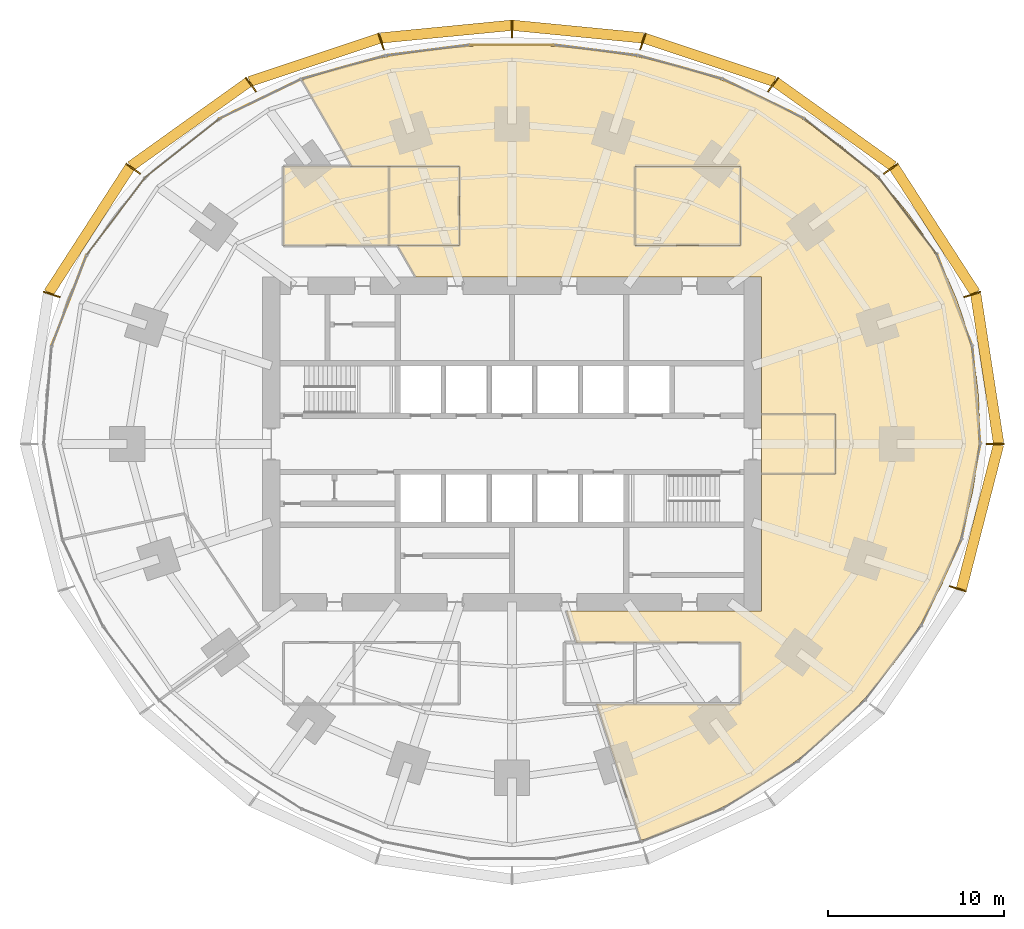
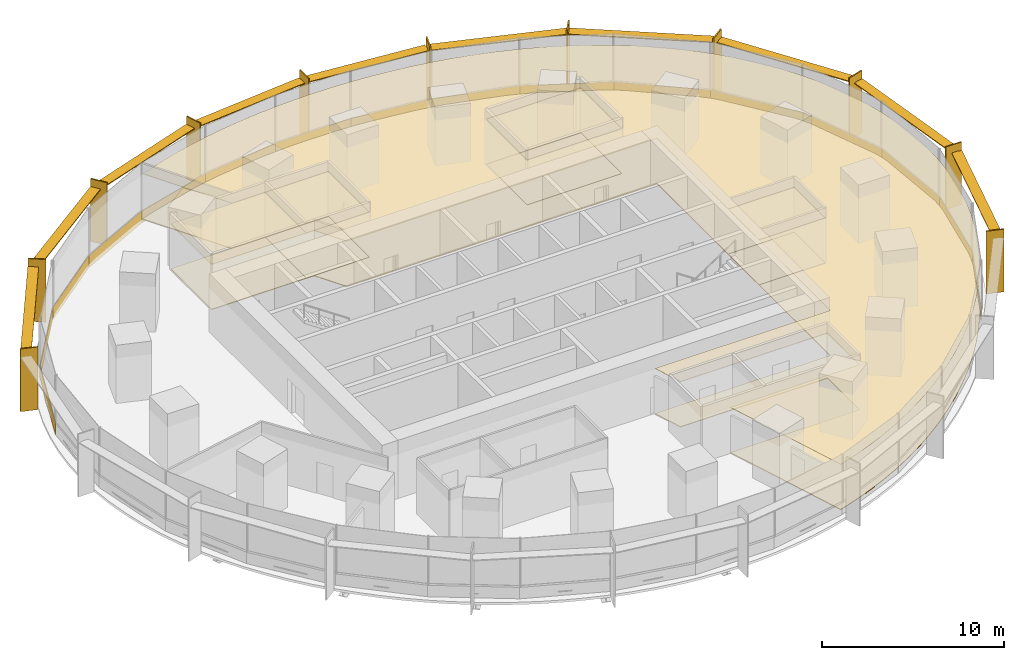
# One storey, part 15 of 15: 26 coverings, 21 shading devices.
"""IFC4 building model written with IfcOpenShell, lengths in metres."""

from ifc_helpers import new_model, si_unit, direction, frame, origin, origin_2d, place, context, subcontext, project, spatial, polyline, rectangle, outline, extrude, material, layer, layer_set, type_object, element, save


model = new_model("IFC4")

# Units and contexts
model_context = context("Model", 3, precision=1e-05, world=origin(), true_north=direction((0.0, 1.0)))
body_context = subcontext(model_context, "Body", "Model", "MODEL_VIEW")
ifc_project = project(units=[si_unit("LENGTHUNIT", "METRE"), si_unit("AREAUNIT", "SQUARE_METRE"), si_unit("VOLUMEUNIT", "CUBIC_METRE"), si_unit("PLANEANGLEUNIT", "RADIAN"), si_unit("MASSUNIT", "GRAM", prefix="KILO")], contexts=[model_context])

# Site, building, storey
site_placement = place(None, origin())
site = spatial("IfcSite", under=ifc_project, at=site_placement, CompositionType="ELEMENT")
building_placement = place(site_placement, origin())
building = spatial("IfcBuilding", under=site, at=building_placement, Name="Marramba Exchange Tower", CompositionType="ELEMENT")
storey_placement = place(building_placement, frame((0.0, 0.0, 23.800048828125)))
storey = spatial("IfcBuildingStorey", under=building, at=storey_placement, Name="L05", CompositionType="ELEMENT", Elevation=23.800048828125)

# Shading devices
ifc_material_1 = material(Name="Aluminium blade, timber-look bronze finish", Category="wood")
ifc_layer_1 = layer(ifc_material_1, 0.080078125)
ifc_layer_set_1 = layer_set([ifc_layer_1], Name="Floor-edge blade 1000x80")
shading_device_type_1 = type_object("IfcShadingDeviceType", Name="Floor-edge blade 1000x80", PredefinedType="USERDEFINED", material=ifc_layer_set_1)
for number, where, z_axis, x_axis, name in (
    (1, (27.5, 0.0, -0.16015625), (0.0, 0.0, 1.0), (1.0, 0.0, 0.0), "Floor-edge blade FB1 L05 TC01"),
    (2, (26.193115234375, 8.5107421875, -0.16015625), (0.0, 0.0, 1.0), (0.951056516295, 0.309016994375, 0.0), "Floor-edge blade FB1 L05 TC02"),
    (3, (21.56298828125, 15.66650390625, -0.16015625), (0.0, 0.0, 1.0), (0.809016994375, 0.587785252292, 0.0), "Floor-edge blade FB1 L05 TC03"),
    (4, (14.857666015625, 20.449951171875, -0.16015625), (0.0, 0.0, 1.0), (0.587785252292, 0.809016994375, 0.0), "Floor-edge blade FB1 L05 TC04"),
    (5, (7.444091796875, 22.910888671875, -0.16015625), (0.0, 0.0, 1.0), (0.309016994375, 0.951056516295, 0.0), "Floor-edge blade FB1 L05 TC05"),
    (6, (0.0, 23.6279296875, -0.16015625), (0.0, 0.0, 1.0), (0.0, 1.0, 0.0), "Floor-edge blade FB1 L05 TC06"),
    (7, (-7.444091796875, 22.910888671875, -0.16015625), (0.0, 0.0, 1.0), (-0.309016994375, 0.951056516295, 0.0), "Floor-edge blade FB1 L05 TC07"),
    (8, (-14.857666015625, 20.449951171875, -0.16015625), (0.0, 0.0, 1.0), (-0.587785252292, 0.809016994375, 0.0), "Floor-edge blade FB1 L05 TC08"),
    (9, (-21.56298828125, 15.66650390625, -0.16015625), (0.0, 0.0, 1.0), (-0.809016994375, 0.587785252292, 0.0), "Floor-edge blade FB1 L05 TC09"),
    (10, (-26.193115234375, 8.5107421875, -0.16015625), (0.0, 0.0, 1.0), (-0.951056516295, 0.309016994375, 0.0), "Floor-edge blade FB1 L05 TC10"),
    (11, (25.3740234375, -8.24462890625, -0.16015625), (0.0, 0.0, 1.0), (0.951056516295, -0.309016994375, 0.0), "Floor-edge blade FB1 L05 TC20"),
):
    element("IfcShadingDevice", number, at=place(storey_placement, frame(where, z_axis=z_axis, x_axis=x_axis)), inside=storey, type_object=shading_device_type_1, Name=name, ObjectType="FIN", PredefinedType="USERDEFINED", context=body_context, shape_type="SweptSolid", body=[
        extrude(rectangle(XDim=1.0, YDim=0.080078125, at=origin_2d()), origin(), (0.0, 0.0, 1.0), 4.199951171875),
    ])

# Coverings
ifc_material_2 = material(Name="Steel raised access floor panels", Category="steel")
ifc_layer_2 = layer(ifc_material_2, 0.050048828125)
ifc_layer_set_2 = layer_set([ifc_layer_2], Name="Raised access floor 300")
covering_type_1 = type_object("IfcCoveringType", Name="Raised access floor 300", PredefinedType="FLOORING", material=ifc_layer_set_2)
covering_1_placement = place(storey_placement, frame((0.0, 0.0, 0.25)))
element("IfcCovering", 12, at=covering_1_placement, inside=storey, type_object=covering_type_1, Name="Raised access floor RAF1 L05 Equities Trading Floor", PredefinedType="FLOORING", context=body_context, shape_type="SweptSolid", body=[
    extrude(outline(polyline([(14.199951171875, -1.699951171875), (18.39990234375, -1.699951171875), (18.39990234375, 1.699951171875), (14.199951171875, 1.699951171875), (14.199951171875, 9.5), (-5.48486328125, 9.5), (-6.52392578125, 11.300048828125), (-3.0, 11.300048828125), (-3.0, 15.800048828125), (-7.0, 15.800048828125), (-9.1220703125, 15.800048828125), (-11.94921875, 20.69677734375), (-10.755126953125, 21.10791015625), (-9.556640625, 21.464599609375), (-8.356689453125, 21.76953125), (-7.15673828125, 22.0263671875), (-5.95849609375, 22.23779296875), (-4.7626953125, 22.406982421875), (-3.5693359375, 22.535888671875), (-2.378173828125, 22.62646484375), (-1.188720703125, 22.68017578125), (0.0, 22.697998046875), (1.188720703125, 22.68017578125), (2.378173828125, 22.62646484375), (3.5693359375, 22.535888671875), (4.7626953125, 22.406982421875), (5.95849609375, 22.23779296875), (7.15673828125, 22.0263671875), (8.356689453125, 21.76953125), (9.556640625, 21.464599609375), (10.755126953125, 21.10791015625), (11.94921875, 20.69677734375), (13.135986328125, 20.2275390625), (14.31103515625, 19.697509765625), (15.4697265625, 19.103759765625), (16.60693359375, 18.44384765625), (17.71630859375, 17.71630859375), (18.791259765625, 16.919677734375), (19.8251953125, 16.05419921875), (20.810791015625, 15.119873046875), (21.740478515625, 14.118408203125), (22.607177734375, 13.05224609375), (23.40380859375, 11.9248046875), (24.12353515625, 10.740478515625), (24.76025390625, 9.50439453125), (25.30859375, 8.22314453125), (25.763916015625, 6.9033203125), (26.123291015625, 5.552734375), (26.3837890625, 4.1787109375), (26.544921875, 2.7900390625), (26.6064453125, 1.394287109375), (26.570068359375, 0.0), (26.43798828125, -1.385498046875), (26.213623046875, -2.755126953125), (25.9013671875, -4.102294921875), (25.50634765625, -5.421630859375), (25.033935546875, -6.707763671875), (24.489501953125, -7.95703125), (23.879150390625, -9.166259765625), (23.208251953125, -10.3330078125), (22.482177734375, -11.455322265625), (21.7060546875, -12.531982421875), (20.88427734375, -13.5625), (20.020751953125, -14.5458984375), (19.119384765625, -15.482421875), (18.1826171875, -16.371826171875), (17.213623046875, -17.213623046875), (16.21435546875, -18.0078125), (15.1865234375, -18.75390625), (14.132080078125, -19.451171875), (13.052490234375, -20.09912109375), (11.94921875, -20.69677734375), (10.82373046875, -21.242919921875), (9.677734375, -21.736328125), (8.512451171875, -22.17578125), (7.330078125, -22.56005859375), (4.808837890625, -14.800048828125), (7.0, -14.800048828125), (13.0, -14.800048828125), (13.0, -11.300048828125), (7.0, -11.300048828125), (3.671630859375, -11.300048828125), (3.086669921875, -9.5), (14.199951171875, -9.5), (14.199951171875, -1.699951171875)]), holes=[polyline([(7.0, 15.800048828125), (7.0, 11.300048828125), (13.0, 11.300048828125), (13.0, 15.800048828125), (7.0, 15.800048828125)])]), origin(), (0.0, 0.0, 1.0), 0.050048828125),
])
covering_2_placement = place(storey_placement, frame((0.0, 0.0, 0.25)))
element("IfcCovering", 13, at=covering_2_placement, inside=storey, type_object=covering_type_1, Name="Raised access floor RAF1 L05 Corridor", PredefinedType="FLOORING", context=body_context, shape_type="SweptSolid", body=[
    extrude(outline(polyline([(14.199951171875, -1.699951171875), (14.199951171875, 1.699951171875), (18.39990234375, 1.699951171875), (18.39990234375, -1.699951171875), (14.199951171875, -1.699951171875)])), origin(), (0.0, 0.0, 1.0), 0.050048828125),
])
covering_3_placement = place(storey_placement, frame((0.0, 0.0, 0.25)))
element("IfcCovering", 14, at=covering_3_placement, inside=storey, type_object=covering_type_1, Name="Raised access floor RAF1 L05 Meeting Room 1", PredefinedType="FLOORING", context=body_context, shape_type="SweptSolid", body=[
    extrude(outline(polyline([(-7.0, 15.800048828125), (-7.0, 11.300048828125), (-13.0, 11.300048828125), (-13.0, 15.800048828125), (-7.0, 15.800048828125)])), origin(), (0.0, 0.0, 1.0), 0.050048828125),
])
covering_4_placement = place(storey_placement, frame((0.0, 0.0, 0.25)))
element("IfcCovering", 15, at=covering_4_placement, inside=storey, type_object=covering_type_1, Name="Raised access floor RAF1 L05 Interview Room", PredefinedType="FLOORING", context=body_context, shape_type="SweptSolid", body=[
    extrude(outline(polyline([(-3.0, 15.800048828125), (-3.0, 11.300048828125), (-7.0, 11.300048828125), (-7.0, 15.800048828125), (-3.0, 15.800048828125)])), origin(), (0.0, 0.0, 1.0), 0.050048828125),
])
covering_5_placement = place(storey_placement, frame((0.0, 0.0, 0.25)))
element("IfcCovering", 16, at=covering_5_placement, inside=storey, type_object=covering_type_1, Name="Raised access floor RAF1 L05 Data Room", PredefinedType="FLOORING", context=body_context, shape_type="SweptSolid", body=[
    extrude(outline(polyline([(13.0, 11.300048828125), (7.0, 11.300048828125), (7.0, 15.800048828125), (13.0, 15.800048828125), (13.0, 11.300048828125)])), origin(), (0.0, 0.0, 1.0), 0.050048828125),
])

# Shading devices
ifc_material_3 = material(Name="Aluminium sunshade, bronze anodised", Category="aluminium")
ifc_layer_3 = layer(ifc_material_3, 0.06005859375)
ifc_layer_set_3 = layer_set([ifc_layer_3], Name="SUNSHADE blade 600x60")
shading_device_type_2 = type_object("IfcShadingDeviceType", Name="SUNSHADE blade 600x60", PredefinedType="USERDEFINED", material=ifc_layer_set_3)
shading_device_1_placement = place(storey_placement, frame((27.04150390625, 4.2861328125, 3.4599609375), z_axis=(0.0, 0.0, 1.0), x_axis=(-0.151825486228, 0.988407315701, 0.0)))
element("IfcShadingDevice", 17, at=shading_device_1_placement, inside=storey, type_object=shading_device_type_2, Name="Sunshade SS1 L05 bay 01", ObjectType="SUNSHADE", PredefinedType="USERDEFINED", context=body_context, shape_type="SweptSolid", body=[
    extrude(rectangle(XDim=8.593017578125, YDim=0.60009765625, at=origin_2d()), origin(), (0.0, 0.0, 1.0), 0.06005859375),
])
shading_device_2_placement = place(storey_placement, frame((24.053955078125, 12.17822265625, 3.4599609375), z_axis=(0.0, 0.0, 1.0), x_axis=(-0.542596596948, 0.839993412462, 0.0)))
element("IfcShadingDevice", 18, at=shading_device_2_placement, inside=storey, type_object=shading_device_type_2, Name="Sunshade SS1 L05 bay 02", ObjectType="SUNSHADE", PredefinedType="USERDEFINED", context=body_context, shape_type="SweptSolid", body=[
    extrude(rectangle(XDim=8.50537109375, YDim=0.60009765625, at=origin_2d()), origin(), (0.0, 0.0, 1.0), 0.06005859375),
])
shading_device_3_placement = place(storey_placement, frame((18.35009765625, 18.19775390625, 3.4599609375), z_axis=(0.0, 0.0, 1.0), x_axis=(-0.813362978246, 0.581756534659, 0.0)))
element("IfcShadingDevice", 19, at=shading_device_3_placement, inside=storey, type_object=shading_device_type_2, Name="Sunshade SS1 L05 bay 03", ObjectType="SUNSHADE", PredefinedType="USERDEFINED", context=body_context, shape_type="SweptSolid", body=[
    extrude(rectangle(XDim=8.218505859375, YDim=0.60009765625, at=origin_2d()), origin(), (0.0, 0.0, 1.0), 0.06005859375),
])
shading_device_4_placement = place(storey_placement, frame((11.24072265625, 21.8564453125, 3.4599609375), z_axis=(0.0, 0.0, 1.0), x_axis=(-0.948697789537, 0.316184288235, 0.0)))
element("IfcShadingDevice", 20, at=shading_device_4_placement, inside=storey, type_object=shading_device_type_2, Name="Sunshade SS1 L05 bay 04", ObjectType="SUNSHADE", PredefinedType="USERDEFINED", context=body_context, shape_type="SweptSolid", body=[
    extrude(rectangle(XDim=7.793212890625, YDim=0.60009765625, at=origin_2d()), origin(), (0.0, 0.0, 1.0), 0.06005859375),
])
for number, where, z_axis, x_axis, name in (
    (21, (3.7529296875, 23.464599609375, 3.4599609375), (0.0, 0.0, 1.0), (-0.995342876176, 0.096397919302, 0.0), "Sunshade SS1 L05 bay 05"),
    (22, (-3.7529296875, 23.464599609375, 3.4599609375), (0.0, 0.0, 1.0), (-0.995342876176, -0.096397919302, 0.0), "Sunshade SS1 L05 bay 06"),
):
    element("IfcShadingDevice", number, at=place(storey_placement, frame(where, z_axis=z_axis, x_axis=x_axis)), inside=storey, type_object=shading_device_type_2, Name=name, ObjectType="SUNSHADE", PredefinedType="USERDEFINED", context=body_context, shape_type="SweptSolid", body=[
        extrude(rectangle(XDim=7.461181640625, YDim=0.60009765625, at=origin_2d()), origin(), (0.0, 0.0, 1.0), 0.06005859375),
    ])
shading_device_5_placement = place(storey_placement, frame((-11.24072265625, 21.8564453125, 3.4599609375), z_axis=(0.0, 0.0, 1.0), x_axis=(-0.948697789537, -0.316184288235, 0.0)))
element("IfcShadingDevice", 23, at=shading_device_5_placement, inside=storey, type_object=shading_device_type_2, Name="Sunshade SS1 L05 bay 07", ObjectType="SUNSHADE", PredefinedType="USERDEFINED", context=body_context, shape_type="SweptSolid", body=[
    extrude(rectangle(XDim=7.793212890625, YDim=0.60009765625, at=origin_2d()), origin(), (0.0, 0.0, 1.0), 0.06005859375),
])
shading_device_6_placement = place(storey_placement, frame((-18.35009765625, 18.19775390625, 3.4599609375), z_axis=(0.0, 0.0, 1.0), x_axis=(-0.813362978246, -0.581756534659, 0.0)))
element("IfcShadingDevice", 24, at=shading_device_6_placement, inside=storey, type_object=shading_device_type_2, Name="Sunshade SS1 L05 bay 08", ObjectType="SUNSHADE", PredefinedType="USERDEFINED", context=body_context, shape_type="SweptSolid", body=[
    extrude(rectangle(XDim=8.218505859375, YDim=0.60009765625, at=origin_2d()), origin(), (0.0, 0.0, 1.0), 0.06005859375),
])
shading_device_7_placement = place(storey_placement, frame((-24.053955078125, 12.17822265625, 3.4599609375), z_axis=(0.0, 0.0, 1.0), x_axis=(-0.542596596948, -0.839993412462, 0.0)))
element("IfcShadingDevice", 25, at=shading_device_7_placement, inside=storey, type_object=shading_device_type_2, Name="Sunshade SS1 L05 bay 09", ObjectType="SUNSHADE", PredefinedType="USERDEFINED", context=body_context, shape_type="SweptSolid", body=[
    extrude(rectangle(XDim=8.50537109375, YDim=0.60009765625, at=origin_2d()), origin(), (0.0, 0.0, 1.0), 0.06005859375),
])
shading_device_8_placement = place(storey_placement, frame((26.632080078125, -4.153076171875, 3.4599609375), z_axis=(0.0, 0.0, 1.0), x_axis=(0.249024641331, 0.968497149201, 0.0)))
element("IfcShadingDevice", 26, at=shading_device_8_placement, inside=storey, type_object=shading_device_type_2, Name="Sunshade SS1 L05 bay 20", ObjectType="SUNSHADE", PredefinedType="USERDEFINED", context=body_context, shape_type="SweptSolid", body=[
    extrude(rectangle(XDim=8.49658203125, YDim=0.60009765625, at=origin_2d()), origin(), (0.0, 0.0, 1.0), 0.06005859375),
])

# Coverings
ifc_material_4 = material(Name="Aluminium spandrel panel, bronze anodised, insulated", Category="aluminium")
ifc_layer_4 = layer(ifc_material_4, 0.050048828125)
ifc_layer_set_4 = layer_set([ifc_layer_4], Name="Spandrel panel 800")
covering_type_2 = type_object("IfcCoveringType", Name="Spandrel panel 800", PredefinedType="CLADDING", material=ifc_layer_set_4)
covering_6_placement = place(storey_placement, frame((26.42578125, 2.78466796875, 0.0), z_axis=(0.0, 0.0, 1.0), x_axis=(-0.080275227657, 0.996772736297, 0.0)))
element("IfcCovering", 27, at=covering_6_placement, inside=storey, type_object=covering_type_2, Name="Spandrel panel SP1 L05 F01", PredefinedType="CLADDING", context=body_context, shape_type="SweptSolid", body=[
    extrude(rectangle(XDim=5.58740234375, YDim=0.050048828125, at=origin_2d()), origin(), (0.0, 0.0, 1.0), 0.800048828125),
])
covering_7_placement = place(storey_placement, frame((25.198974609375, 8.171142578125, 0.0), z_axis=(0.0, 0.0, 1.0), x_axis=(-0.359525512701, 0.933135255854, 0.0)))
element("IfcCovering", 28, at=covering_7_placement, inside=storey, type_object=covering_type_2, Name="Spandrel panel SP1 L05 F02", PredefinedType="CLADDING", context=body_context, shape_type="SweptSolid", body=[
    extrude(rectangle(XDim=5.57666015625, YDim=0.050048828125, at=origin_2d()), origin(), (0.0, 0.0, 1.0), 0.800048828125),
])
covering_8_placement = place(storey_placement, frame((22.535888671875, 12.969970703125, 0.0), z_axis=(0.0, 0.0, 1.0), x_axis=(-0.602989761876, 0.797748924834, 0.0)))
element("IfcCovering", 29, at=covering_8_placement, inside=storey, type_object=covering_type_2, Name="Spandrel panel SP1 L05 F03", PredefinedType="CLADDING", context=body_context, shape_type="SweptSolid", body=[
    extrude(rectangle(XDim=5.5078125, YDim=0.050048828125, at=origin_2d()), origin(), (0.0, 0.0, 1.0), 0.800048828125),
])
covering_9_placement = place(storey_placement, frame((18.767822265625, 16.8349609375, 0.0), z_axis=(0.0, 0.0, 1.0), x_axis=(-0.784087946735, 0.620649733574, 0.0)))
element("IfcCovering", 30, at=covering_9_placement, inside=storey, type_object=covering_type_2, Name="Spandrel panel SP1 L05 F04", PredefinedType="CLADDING", context=body_context, shape_type="SweptSolid", body=[
    extrude(rectangle(XDim=5.375732421875, YDim=0.050048828125, at=origin_2d()), origin(), (0.0, 0.0, 1.0), 0.800048828125),
])
covering_10_placement = place(storey_placement, frame((14.324951171875, 19.634765625, 0.0), z_axis=(0.0, 0.0, 1.0), x_axis=(-0.899963432359, 0.435965389012, 0.0)))
element("IfcCovering", 31, at=covering_10_placement, inside=storey, type_object=covering_type_2, Name="Spandrel panel SP1 L05 F05", PredefinedType="CLADDING", context=body_context, shape_type="SweptSolid", body=[
    extrude(rectangle(XDim=5.1904296875, YDim=0.050048828125, at=origin_2d()), origin(), (0.0, 0.0, 1.0), 0.800048828125),
])
covering_11_placement = place(storey_placement, frame((9.58544921875, 21.434326171875, 0.0), z_axis=(0.0, 0.0, 1.0), x_axis=(-0.963472098411, 0.267808729475, 0.0)))
element("IfcCovering", 32, at=covering_11_placement, inside=storey, type_object=covering_type_2, Name="Spandrel panel SP1 L05 F06", PredefinedType="CLADDING", context=body_context, shape_type="SweptSolid", body=[
    extrude(rectangle(XDim=4.989990234375, YDim=0.050048828125, at=origin_2d()), origin(), (0.0, 0.0, 1.0), 0.800048828125),
])
covering_12_placement = place(storey_placement, frame((4.783935546875, 22.404296875, 0.0), z_axis=(0.0, 0.0, 1.0), x_axis=(-0.992172768222, 0.124872727203, 0.0)))
element("IfcCovering", 33, at=covering_12_placement, inside=storey, type_object=covering_type_2, Name="Spandrel panel SP1 L05 F07", PredefinedType="CLADDING", context=body_context, shape_type="SweptSolid", body=[
    extrude(rectangle(XDim=4.832763671875, YDim=0.050048828125, at=origin_2d()), origin(), (0.0, 0.0, 1.0), 0.800048828125),
])
covering_13_placement = place(storey_placement, frame((0.0, 22.7060546875, 0.0), z_axis=(0.0, 0.0, 1.0), x_axis=(-1.0, 0.0, 0.0)))
element("IfcCovering", 34, at=covering_13_placement, inside=storey, type_object=covering_type_2, Name="Spandrel panel SP1 L05 F08", PredefinedType="CLADDING", context=body_context, shape_type="SweptSolid", body=[
    extrude(rectangle(XDim=4.77294921875, YDim=0.050048828125, at=origin_2d()), origin(), (0.0, 0.0, 1.0), 0.800048828125),
])
covering_14_placement = place(storey_placement, frame((-4.783935546875, 22.404296875, 0.0), z_axis=(0.0, 0.0, 1.0), x_axis=(-0.992172768222, -0.124872727203, 0.0)))
element("IfcCovering", 35, at=covering_14_placement, inside=storey, type_object=covering_type_2, Name="Spandrel panel SP1 L05 F09", PredefinedType="CLADDING", context=body_context, shape_type="SweptSolid", body=[
    extrude(rectangle(XDim=4.832763671875, YDim=0.050048828125, at=origin_2d()), origin(), (0.0, 0.0, 1.0), 0.800048828125),
])
covering_15_placement = place(storey_placement, frame((-9.58544921875, 21.434326171875, 0.0), z_axis=(0.0, 0.0, 1.0), x_axis=(-0.963472098411, -0.267808729475, 0.0)))
element("IfcCovering", 36, at=covering_15_placement, inside=storey, type_object=covering_type_2, Name="Spandrel panel SP1 L05 F10", PredefinedType="CLADDING", context=body_context, shape_type="SweptSolid", body=[
    extrude(rectangle(XDim=4.989990234375, YDim=0.050048828125, at=origin_2d()), origin(), (0.0, 0.0, 1.0), 0.800048828125),
])
covering_16_placement = place(storey_placement, frame((-14.324951171875, 19.634765625, 0.0), z_axis=(0.0, 0.0, 1.0), x_axis=(-0.899963432359, -0.435965389012, 0.0)))
element("IfcCovering", 37, at=covering_16_placement, inside=storey, type_object=covering_type_2, Name="Spandrel panel SP1 L05 F11", PredefinedType="CLADDING", context=body_context, shape_type="SweptSolid", body=[
    extrude(rectangle(XDim=5.1904296875, YDim=0.050048828125, at=origin_2d()), origin(), (0.0, 0.0, 1.0), 0.800048828125),
])
covering_17_placement = place(storey_placement, frame((-18.767822265625, 16.8349609375, 0.0), z_axis=(0.0, 0.0, 1.0), x_axis=(-0.784087946735, -0.620649733574, 0.0)))
element("IfcCovering", 38, at=covering_17_placement, inside=storey, type_object=covering_type_2, Name="Spandrel panel SP1 L05 F12", PredefinedType="CLADDING", context=body_context, shape_type="SweptSolid", body=[
    extrude(rectangle(XDim=5.375732421875, YDim=0.050048828125, at=origin_2d()), origin(), (0.0, 0.0, 1.0), 0.800048828125),
])
covering_18_placement = place(storey_placement, frame((-22.535888671875, 12.969970703125, 0.0), z_axis=(0.0, 0.0, 1.0), x_axis=(-0.602989761876, -0.797748924834, 0.0)))
element("IfcCovering", 39, at=covering_18_placement, inside=storey, type_object=covering_type_2, Name="Spandrel panel SP1 L05 F13", PredefinedType="CLADDING", context=body_context, shape_type="SweptSolid", body=[
    extrude(rectangle(XDim=5.5078125, YDim=0.050048828125, at=origin_2d()), origin(), (0.0, 0.0, 1.0), 0.800048828125),
])
covering_19_placement = place(storey_placement, frame((-25.198974609375, 8.171142578125, 0.0), z_axis=(0.0, 0.0, 1.0), x_axis=(-0.359525512701, -0.933135255854, 0.0)))
element("IfcCovering", 40, at=covering_19_placement, inside=storey, type_object=covering_type_2, Name="Spandrel panel SP1 L05 F14", PredefinedType="CLADDING", context=body_context, shape_type="SweptSolid", body=[
    extrude(rectangle(XDim=5.57666015625, YDim=0.050048828125, at=origin_2d()), origin(), (0.0, 0.0, 1.0), 0.800048828125),
])
covering_20_placement = place(storey_placement, frame((24.432861328125, -7.90185546875, 0.0), z_axis=(0.0, 0.0, 1.0), x_axis=(0.423477213559, 0.905906755464, 0.0)))
element("IfcCovering", 41, at=covering_20_placement, inside=storey, type_object=covering_type_2, Name="Spandrel panel SP1 L05 F29", PredefinedType="CLADDING", context=body_context, shape_type="SweptSolid", body=[
    extrude(rectangle(XDim=5.439208984375, YDim=0.050048828125, at=origin_2d()), origin(), (0.0, 0.0, 1.0), 0.800048828125),
])
covering_21_placement = place(storey_placement, frame((26.117431640625, -2.718994140625, 0.0), z_axis=(0.0, 0.0, 1.0), x_axis=(0.19224858127, 0.981346260501, 0.0)))
element("IfcCovering", 42, at=covering_21_placement, inside=storey, type_object=covering_type_2, Name="Spandrel panel SP1 L05 F30", PredefinedType="CLADDING", context=body_context, shape_type="SweptSolid", body=[
    extrude(rectangle(XDim=5.54150390625, YDim=0.050048828125, at=origin_2d()), origin(), (0.0, 0.0, 1.0), 0.800048828125),
])
ifc_material_5 = material(Name="Mineral fibre ceiling tiles", Category="gypsum")
ifc_layer_5 = layer(ifc_material_5, 0.02001953125)
ifc_layer_set_5 = layer_set([ifc_layer_5], Name="Suspended ceiling 20")
covering_type_3 = type_object("IfcCoveringType", Name="Suspended ceiling 20", PredefinedType="CEILING", material=ifc_layer_set_5)
covering_22_placement = place(storey_placement, frame((0.0, 0.0, 3.300048828125)))
element("IfcCovering", 43, at=covering_22_placement, inside=storey, type_object=covering_type_3, Name="Ceiling CL1 L05 Equities Trading Floor", PredefinedType="CEILING", context=body_context, shape_type="SweptSolid", body=[
    extrude(outline(polyline([(14.199951171875, -1.699951171875), (18.39990234375, -1.699951171875), (18.39990234375, 1.699951171875), (14.199951171875, 1.699951171875), (14.199951171875, 9.5), (-5.48486328125, 9.5), (-6.52392578125, 11.300048828125), (-3.0, 11.300048828125), (-3.0, 15.800048828125), (-7.0, 15.800048828125), (-9.1220703125, 15.800048828125), (-11.94921875, 20.69677734375), (-10.755126953125, 21.10791015625), (-9.556640625, 21.464599609375), (-8.356689453125, 21.76953125), (-7.15673828125, 22.0263671875), (-5.95849609375, 22.23779296875), (-4.7626953125, 22.406982421875), (-3.5693359375, 22.535888671875), (-2.378173828125, 22.62646484375), (-1.188720703125, 22.68017578125), (0.0, 22.697998046875), (1.188720703125, 22.68017578125), (2.378173828125, 22.62646484375), (3.5693359375, 22.535888671875), (4.7626953125, 22.406982421875), (5.95849609375, 22.23779296875), (7.15673828125, 22.0263671875), (8.356689453125, 21.76953125), (9.556640625, 21.464599609375), (10.755126953125, 21.10791015625), (11.94921875, 20.69677734375), (13.135986328125, 20.2275390625), (14.31103515625, 19.697509765625), (15.4697265625, 19.103759765625), (16.60693359375, 18.44384765625), (17.71630859375, 17.71630859375), (18.791259765625, 16.919677734375), (19.8251953125, 16.05419921875), (20.810791015625, 15.119873046875), (21.740478515625, 14.118408203125), (22.607177734375, 13.05224609375), (23.40380859375, 11.9248046875), (24.12353515625, 10.740478515625), (24.76025390625, 9.50439453125), (25.30859375, 8.22314453125), (25.763916015625, 6.9033203125), (26.123291015625, 5.552734375), (26.3837890625, 4.1787109375), (26.544921875, 2.7900390625), (26.6064453125, 1.394287109375), (26.570068359375, 0.0), (26.43798828125, -1.385498046875), (26.213623046875, -2.755126953125), (25.9013671875, -4.102294921875), (25.50634765625, -5.421630859375), (25.033935546875, -6.707763671875), (24.489501953125, -7.95703125), (23.879150390625, -9.166259765625), (23.208251953125, -10.3330078125), (22.482177734375, -11.455322265625), (21.7060546875, -12.531982421875), (20.88427734375, -13.5625), (20.020751953125, -14.5458984375), (19.119384765625, -15.482421875), (18.1826171875, -16.371826171875), (17.213623046875, -17.213623046875), (16.21435546875, -18.0078125), (15.1865234375, -18.75390625), (14.132080078125, -19.451171875), (13.052490234375, -20.09912109375), (11.94921875, -20.69677734375), (10.82373046875, -21.242919921875), (9.677734375, -21.736328125), (8.512451171875, -22.17578125), (7.330078125, -22.56005859375), (4.808837890625, -14.800048828125), (7.0, -14.800048828125), (13.0, -14.800048828125), (13.0, -11.300048828125), (7.0, -11.300048828125), (3.671630859375, -11.300048828125), (3.086669921875, -9.5), (14.199951171875, -9.5), (14.199951171875, -1.699951171875)]), holes=[polyline([(7.0, 15.800048828125), (7.0, 11.300048828125), (13.0, 11.300048828125), (13.0, 15.800048828125), (7.0, 15.800048828125)])]), origin(), (0.0, 0.0, 1.0), 0.02001953125),
])
covering_23_placement = place(storey_placement, frame((0.0, 0.0, 3.300048828125)))
element("IfcCovering", 44, at=covering_23_placement, inside=storey, type_object=covering_type_3, Name="Ceiling CL1 L05 Corridor", PredefinedType="CEILING", context=body_context, shape_type="SweptSolid", body=[
    extrude(outline(polyline([(14.199951171875, -1.699951171875), (14.199951171875, 1.699951171875), (18.39990234375, 1.699951171875), (18.39990234375, -1.699951171875), (14.199951171875, -1.699951171875)])), origin(), (0.0, 0.0, 1.0), 0.02001953125),
])
covering_24_placement = place(storey_placement, frame((0.0, 0.0, 3.300048828125)))
element("IfcCovering", 45, at=covering_24_placement, inside=storey, type_object=covering_type_3, Name="Ceiling CL1 L05 Meeting Room 1", PredefinedType="CEILING", context=body_context, shape_type="SweptSolid", body=[
    extrude(outline(polyline([(-7.0, 15.800048828125), (-7.0, 11.300048828125), (-13.0, 11.300048828125), (-13.0, 15.800048828125), (-7.0, 15.800048828125)])), origin(), (0.0, 0.0, 1.0), 0.02001953125),
])
covering_25_placement = place(storey_placement, frame((0.0, 0.0, 3.300048828125)))
element("IfcCovering", 46, at=covering_25_placement, inside=storey, type_object=covering_type_3, Name="Ceiling CL1 L05 Interview Room", PredefinedType="CEILING", context=body_context, shape_type="SweptSolid", body=[
    extrude(outline(polyline([(-3.0, 15.800048828125), (-3.0, 11.300048828125), (-7.0, 11.300048828125), (-7.0, 15.800048828125), (-3.0, 15.800048828125)])), origin(), (0.0, 0.0, 1.0), 0.02001953125),
])
covering_26_placement = place(storey_placement, frame((0.0, 0.0, 3.300048828125)))
element("IfcCovering", 47, at=covering_26_placement, inside=storey, type_object=covering_type_3, Name="Ceiling CL1 L05 Data Room", PredefinedType="CEILING", context=body_context, shape_type="SweptSolid", body=[
    extrude(outline(polyline([(13.0, 11.300048828125), (7.0, 11.300048828125), (7.0, 15.800048828125), (13.0, 15.800048828125), (13.0, 11.300048828125)])), origin(), (0.0, 0.0, 1.0), 0.02001953125),
])

save(model, "model.ifc")
